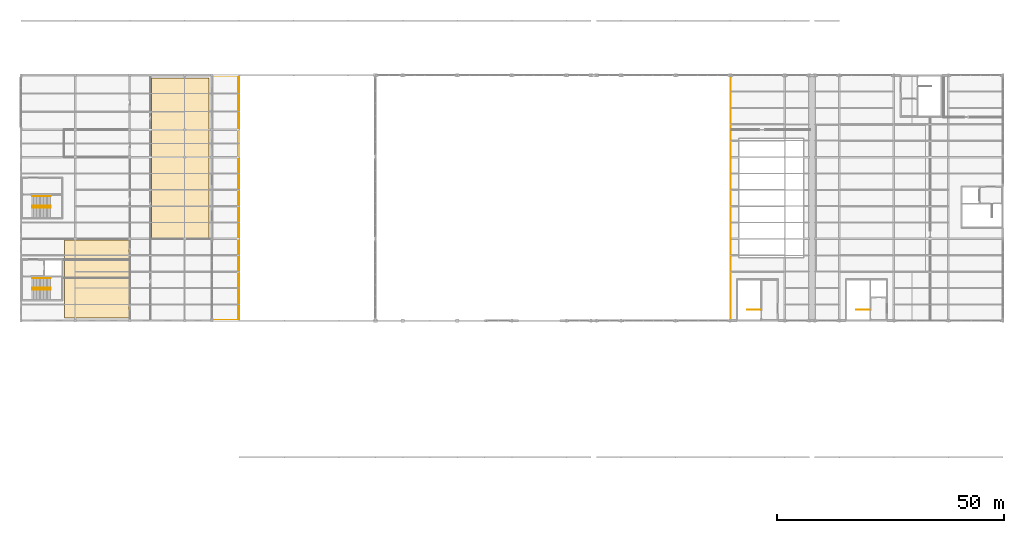
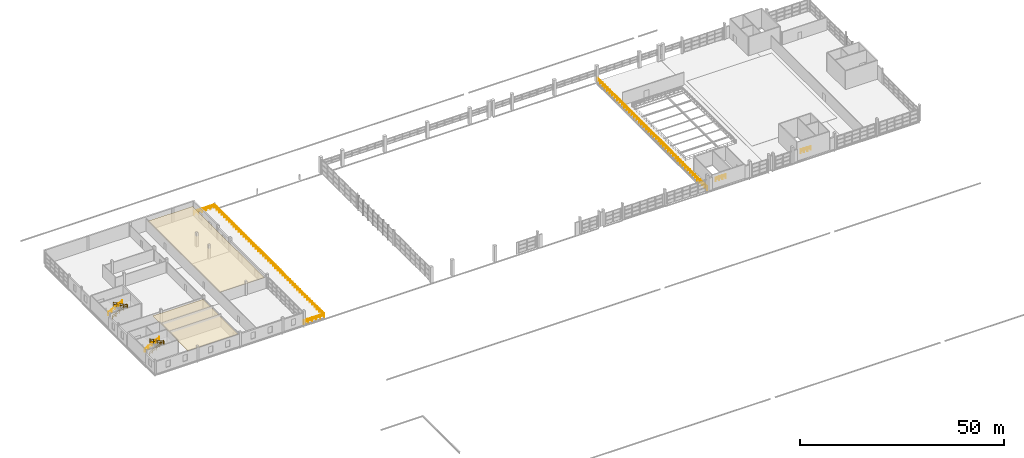
# One storey, part 85 of 86: 8 railings, 2 coverings.
"""IFC4 building model written with IfcOpenShell, lengths in metres."""

import ifcopenshell
import ifcopenshell.guid

model = None  # the IFC model being written
_history = None  # IfcOwnerHistory: only IFC2X3 demands one
_inside = {}  # id of a spatial element -> (the spatial element, [elements in it])
_under = {}  # id of a project, library or spatial element -> (it, [spatial elements below it])
_declared = {}  # id of a project -> (the project, [libraries it declares])
_typed = {}  # id of a type object -> (the type object, [elements of that type])
_made_of = {}  # id of a material, layer set ... -> (it, [elements and type objects made of it])


def new_model(schema):
    """Start an empty IFC model of exactly this schema.

    Asked for "IFC4X3", IfcOpenShell would pick the latest addendum, in which some entities
    have other attributes; the version numbers below select the first issue.
    IFC2X3 requires an IfcOwnerHistory on every rooted entity: one is made here for all.
    """
    global model, _history
    if schema == "IFC4X3":
        model = ifcopenshell.file(schema_version=(4, 3, 0, 0))
    else:
        model = ifcopenshell.file(schema=schema)
    _inside.clear()
    _under.clear()
    _declared.clear()
    _typed.clear()
    _made_of.clear()
    _history = None
    if model.schema == "IFC2X3":
        org = make("IfcOrganization", Name="unknown")
        user = make(
            "IfcPersonAndOrganization",
            ThePerson=make("IfcPerson", FamilyName="unknown"),
            TheOrganization=org,
        )
        app = make(
            "IfcApplication",
            ApplicationDeveloper=org,
            Version="unknown",
            ApplicationFullName="unknown",
            ApplicationIdentifier="unknown",
        )
        _history = make(
            "IfcOwnerHistory",
            OwningUser=user,
            OwningApplication=app,
            ChangeAction="ADDED",
            CreationDate=0,
        )
    return model


def make(cls, **values):
    """One entity of the class cls with the attributes given. An attribute that is None is left unset."""
    return model.create_entity(
        cls, **{name: value for name, value in values.items() if value is not None}
    )


def rooted(cls, **values):
    """An entity with a GlobalId (a new one), such as an element, a storey or a relation."""
    return make(cls, GlobalId=ifcopenshell.guid.new(), OwnerHistory=_history, **values)


def si_unit(unit_type, name, prefix=None):
    """IfcSIUnit, for example si_unit("LENGTHUNIT", "METRE", prefix="MILLI")."""
    return make("IfcSIUnit", UnitType=unit_type, Prefix=prefix, Name=name)


def assignment(units):
    """IfcUnitAssignment: the units of a project."""
    return None if units is None else make("IfcUnitAssignment", Units=units)


def point(xyz):
    """IfcCartesianPoint."""
    return None if xyz is None else make("IfcCartesianPoint", Coordinates=xyz)


def direction(xyz):
    """IfcDirection."""
    return None if xyz is None else make("IfcDirection", DirectionRatios=xyz)


def frame(location, z_axis=None, x_axis=None):
    """IfcAxis2Placement3D, a coordinate frame: its origin and axes. An axis left out is left unset."""
    return make(
        "IfcAxis2Placement3D",
        Location=point(location),
        Axis=direction(z_axis),
        RefDirection=direction(x_axis),
    )


def frame_2d(location, x_axis=None):
    """IfcAxis2Placement2D, a coordinate frame in the plane: its origin and x axis."""
    return make(
        "IfcAxis2Placement2D", Location=point(location), RefDirection=direction(x_axis)
    )


def origin():
    """The frame at (0, 0, 0) with its axes left unset."""
    return frame((0.0, 0.0, 0.0))


def origin_2d():
    """The frame at (0, 0) in the plane with its x axis left unset."""
    return frame_2d((0.0, 0.0))


def place(relative_to, where):
    """IfcLocalPlacement: puts the frame where relative to a parent placement (None: the world)."""
    return make(
        "IfcLocalPlacement", PlacementRelTo=relative_to, RelativePlacement=where
    )


def context(
    kind, dimensions, precision=None, world=None, true_north=None, identifier=None
):
    """IfcGeometricRepresentationContext, for example the 3D "Model" context."""
    return make(
        "IfcGeometricRepresentationContext",
        ContextIdentifier=identifier,
        ContextType=kind,
        CoordinateSpaceDimension=dimensions,
        Precision=precision,
        WorldCoordinateSystem=world,
        TrueNorth=true_north,
    )


def subcontext(parent, identifier, kind, view, scale=None):
    """IfcGeometricRepresentationSubContext, for example "Body" below "Model"."""
    return make(
        "IfcGeometricRepresentationSubContext",
        ContextIdentifier=identifier,
        ContextType=kind,
        ParentContext=parent,
        TargetScale=scale,
        TargetView=view,
    )


def project(units=None, contexts=None):
    """IfcProject with its units and contexts."""
    return rooted(
        "IfcProject",
        Name="project",
        RepresentationContexts=contexts,
        UnitsInContext=assignment(units),
    )


def spatial(cls, under=None, at=None, **own):
    """A site, building, storey or space (cls), placed at a placement, below another one or the project."""
    s = rooted(cls, ObjectPlacement=at, **own)
    if under is not None:
        _under.setdefault(under.id(), (under, []))[1].append(s)
    return s


def polyline(points):
    """IfcPolyline through the points."""
    return make("IfcPolyline", Points=[point(p) for p in points])


def profile(cls, at=None, kind="AREA", **sizes):
    """A parametric profile (cls). Its sizes go by their IFC names, for example OverallWidth=200.0."""
    return make(cls, ProfileType=kind, Position=at, **sizes)


def circle(**sizes):
    """IfcCircleProfileDef."""
    return profile("IfcCircleProfileDef", **sizes)


def outline(outer, holes=None, kind="AREA"):
    """IfcArbitraryClosedProfileDef: a profile drawn as a closed curve; with holes, ...WithVoids."""
    if holes is None:
        return make("IfcArbitraryClosedProfileDef", ProfileType=kind, OuterCurve=outer)
    return make(
        "IfcArbitraryProfileDefWithVoids",
        ProfileType=kind,
        OuterCurve=outer,
        InnerCurves=holes,
    )


def extrude(swept, where, along, depth):
    """IfcExtrudedAreaSolid: the profile swept, set in the frame where, extruded along a direction by depth."""
    return make(
        "IfcExtrudedAreaSolid",
        SweptArea=swept,
        Position=where,
        ExtrudedDirection=direction(along),
        Depth=depth,
    )


def shape(context_of_items, identifier, shape_type, items):
    """IfcShapeRepresentation: the items that make up one representation, for example the "Body"."""
    return make(
        "IfcShapeRepresentation",
        ContextOfItems=context_of_items,
        RepresentationIdentifier=identifier,
        RepresentationType=shape_type,
        Items=items,
    )


def material(Name=None, Category=None):
    """IfcMaterial."""
    return make("IfcMaterial", Name=Name, Category=Category)


def layer(
    of_material, thickness, ventilated=None, Name=None, Category=None, Priority=None
):
    """IfcMaterialLayer: one layer of a wall or slab, of a material (None: an air gap)."""
    return make(
        "IfcMaterialLayer",
        Material=of_material,
        LayerThickness=thickness,
        IsVentilated=ventilated,
        Name=Name,
        Category=Category,
        Priority=Priority,
    )


def layer_set(layers, Name=None):
    """IfcMaterialLayerSet."""
    return make("IfcMaterialLayerSet", MaterialLayers=layers, LayerSetName=Name)


def made_of(thing, what):
    """Note that an element or type object is made of a material, layer set ...; save() writes the relation."""
    if what is not None:
        _made_of.setdefault(what.id(), (what, []))[1].append(thing)
    return thing


def type_object(cls, material=None, **own):
    """A type object (cls), such as IfcWallType, which elements share."""
    return made_of(rooted(cls, **own), material)


def element(
    cls,
    number,
    at=None,
    inside=None,
    cuts=None,
    type_object=None,
    material=None,
    context=None,
    identifier="Body",
    shape_type=None,
    held_by="IfcProductDefinitionShape",
    body=None,
    shapes=None,
    **own,
):
    """One element of the class cls, such as IfcWall. Its Tag is "e" and its number.

    at: its placement. inside: the storey or other place that contains it. cuts: it is an
    opening in that element (IfcRelVoidsElement). A single representation is given by context,
    identifier, shape_type and body (its items); several are given by shapes. held_by: the class
    of the entity that holds the representations. save() writes the other relations.
    """
    e = rooted(cls, Tag="e%d" % number, ObjectPlacement=at, **own)
    if body is not None:
        shapes = [shape(context, identifier, shape_type, body)]
    if shapes is not None:
        e.Representation = make(held_by, Representations=shapes)
    if inside is not None:
        _inside.setdefault(inside.id(), (inside, []))[1].append(e)
    if cuts is not None:
        rooted(
            "IfcRelVoidsElement", RelatingBuildingElement=cuts, RelatedOpeningElement=e
        )
    if type_object is not None:
        _typed.setdefault(type_object.id(), (type_object, []))[1].append(e)
    return made_of(e, material)


def aggregate(whole, parts):
    """IfcRelAggregates: a whole, such as a stair, and the parts it consists of."""
    return rooted("IfcRelAggregates", RelatingObject=whole, RelatedObjects=parts)


def save(model, path):
    """Write the relations noted so far, then the file.

    IfcRelAggregates (storeys below a building ...), IfcRelContainedInSpatialStructure (elements
    in a storey), IfcRelDefinesByType, IfcRelAssociatesMaterial and IfcRelDeclares: one each for
    every whole, place, type object, material and project.
    """
    for whole, parts in _under.values():
        aggregate(whole, parts)
    for where, things in _inside.values():
        rooted(
            "IfcRelContainedInSpatialStructure",
            RelatedElements=things,
            RelatingStructure=where,
        )
    for kind, things in _typed.values():
        rooted("IfcRelDefinesByType", RelatedObjects=things, RelatingType=kind)
    for what, things in _made_of.values():
        rooted("IfcRelAssociatesMaterial", RelatedObjects=things, RelatingMaterial=what)
    for by, libraries in _declared.values():
        rooted("IfcRelDeclares", RelatingContext=by, RelatedDefinitions=libraries)
    model.write(path)


model = new_model("IFC4")

# Units and contexts
model_context = context("Model", 3, precision=1e-05, world=origin(), true_north=direction((0.0, 1.0)))
body_context = subcontext(model_context, "Body", "Model", "MODEL_VIEW")
ifc_project = project(units=[si_unit("LENGTHUNIT", "METRE"), si_unit("AREAUNIT", "SQUARE_METRE"), si_unit("VOLUMEUNIT", "CUBIC_METRE"), si_unit("PLANEANGLEUNIT", "RADIAN"), si_unit("MASSUNIT", "GRAM", prefix="KILO")], contexts=[model_context])

# Site, building, storey
site_placement = place(None, origin())
site = spatial("IfcSite", under=ifc_project, at=site_placement, CompositionType="ELEMENT")
building_placement = place(site_placement, origin())
building = spatial("IfcBuilding", under=site, at=building_placement, Name="Zilviju Railside Exhibition Hall", CompositionType="ELEMENT")
storey_placement = place(building_placement, frame((0.0, 0.0, 12.60009765625)))
storey = spatial("IfcBuildingStorey", under=building, at=storey_placement, Name="L04", CompositionType="ELEMENT", Elevation=12.60009765625)

# Coverings
ifc_material_1 = material(Name="Perforated gypsum and mineral-wool acoustic ceiling", Category="masonry")
ifc_layer = layer(ifc_material_1, 0.030029296875)
ifc_layer_set = layer_set([ifc_layer], Name="Perforated gypsum and mineral-wool acoustic ceiling")
covering_type = type_object("IfcCoveringType", Name="COV-CEIL-ACOUSTIC", PredefinedType="CEILING", material=ifc_layer_set)
covering_1_placement = place(storey_placement, frame((0.0, 0.0, 3.0498046875)))
element("IfcCovering", 1, at=covering_1_placement, inside=storey, type_object=covering_type, Name="Seminar Hall Acoustic Ceiling", PredefinedType="CEILING", context=body_context, shape_type="SweptSolid", body=[
    extrude(outline(polyline([(9.60009765625, 84.60009765625), (23.800048828125, 84.60009765625), (23.800048828125, 101.800048828125), (9.60009765625, 101.800048828125), (9.60009765625, 84.60009765625)])), origin(), (0.0, 0.0, 1.0), 0.030029296875),
])
covering_2_placement = place(storey_placement, frame((0.0, 0.0, 3.0498046875)))
element("IfcCovering", 2, at=covering_2_placement, inside=storey, type_object=covering_type, Name="Organisers Admin Acoustic Ceiling", PredefinedType="CEILING", context=body_context, shape_type="SweptSolid", body=[
    extrude(outline(polyline([(28.699951171875, 102.199951171875), (41.39990234375, 102.199951171875), (41.39990234375, 137.39990234375), (28.699951171875, 137.39990234375), (28.699951171875, 102.199951171875)])), origin(), (0.0, 0.0, 1.0), 0.030029296875),
])

# Railings
ifc_material_2 = material(Name="Wrought-iron Jugendstils terrace guardrail", Category="steel")
railing_type_1 = type_object("IfcRailingType", Name="RL-GUARD-1120", PredefinedType="GUARDRAIL", material=ifc_material_2)
railing_1_placement = place(storey_placement, frame((42.1201171875, 84.1201171875, 0.0)))
element("IfcRailing", 3, at=railing_1_placement, inside=storey, type_object=railing_type_1, Name="Organisers East Terrace Planted Roof Garden Perimeter Guardrail", PredefinedType="GUARDRAIL", context=body_context, shape_type="SweptSolid", body=[
    extrude(circle(Radius=0.02392578125, at=origin_2d()), frame((0.021728515625, 0.0, 1.09619140625), z_axis=(1.0, 0.0, 0.0), x_axis=(0.0, 1.0, 0.0)), (0.0, 0.0, 1.0), 5.716064453125),
    extrude(circle(Radius=0.02392578125, at=origin_2d()), frame((0.021728515625, 0.0, 0.56005859375), z_axis=(1.0, 0.0, 0.0), x_axis=(0.0, 1.0, 0.0)), (0.0, 0.0, 1.0), 5.716064453125),
    extrude(circle(Radius=0.02392578125, at=origin_2d()), frame((5.759765625, 0.021728515625, 1.09619140625), z_axis=(0.0, 1.0, 0.0), x_axis=(-1.0, 0.0, 0.0)), (0.0, 0.0, 1.0), 53.716064453125),
    extrude(circle(Radius=0.02392578125, at=origin_2d()), frame((5.759765625, 0.021728515625, 0.56005859375), z_axis=(0.0, 1.0, 0.0), x_axis=(-1.0, 0.0, 0.0)), (0.0, 0.0, 1.0), 53.716064453125),
    extrude(circle(Radius=0.02392578125, at=origin_2d()), frame((5.738037109375, 53.759765625, 1.09619140625), z_axis=(-1.0, 0.0, 0.0), x_axis=(0.0, -1.0, 0.0)), (0.0, 0.0, 1.0), 5.716064453125),
    extrude(circle(Radius=0.02392578125, at=origin_2d()), frame((5.738037109375, 53.759765625, 0.56005859375), z_axis=(-1.0, 0.0, 0.0), x_axis=(0.0, -1.0, 0.0)), (0.0, 0.0, 1.0), 5.716064453125),
    extrude(circle(Radius=0.02099609375, at=origin_2d()), origin(), (0.0, 0.0, 1.0), 1.1201171875),
    extrude(circle(Radius=0.02099609375, at=origin_2d()), frame((1.15185546875, 0.0, 0.0)), (0.0, 0.0, 1.0), 1.1201171875),
    extrude(circle(Radius=0.02099609375, at=origin_2d()), frame((2.303955078125, 0.0, 0.0)), (0.0, 0.0, 1.0), 1.1201171875),
    extrude(circle(Radius=0.02099609375, at=origin_2d()), frame((3.455810546875, 0.0, 0.0)), (0.0, 0.0, 1.0), 1.1201171875),
    extrude(circle(Radius=0.02099609375, at=origin_2d()), frame((4.60791015625, 0.0, 0.0)), (0.0, 0.0, 1.0), 1.1201171875),
    extrude(circle(Radius=0.02099609375, at=origin_2d()), frame((5.759765625, 0.0, 0.0)), (0.0, 0.0, 1.0), 1.1201171875),
    extrude(circle(Radius=0.02099609375, at=origin_2d()), frame((5.759765625, 1.194580078125, 0.0)), (0.0, 0.0, 1.0), 1.1201171875),
    extrude(circle(Radius=0.02099609375, at=origin_2d()), frame((5.759765625, 2.389404296875, 0.0)), (0.0, 0.0, 1.0), 1.1201171875),
    extrude(circle(Radius=0.02099609375, at=origin_2d()), frame((5.759765625, 3.583984375, 0.0)), (0.0, 0.0, 1.0), 1.1201171875),
    extrude(circle(Radius=0.02099609375, at=origin_2d()), frame((5.759765625, 4.778564453125, 0.0)), (0.0, 0.0, 1.0), 1.1201171875),
    extrude(circle(Radius=0.02099609375, at=origin_2d()), frame((5.759765625, 5.973388671875, 0.0)), (0.0, 0.0, 1.0), 1.1201171875),
    extrude(circle(Radius=0.02099609375, at=origin_2d()), frame((5.759765625, 7.16796875, 0.0)), (0.0, 0.0, 1.0), 1.1201171875),
    extrude(circle(Radius=0.02099609375, at=origin_2d()), frame((5.759765625, 8.362548828125, 0.0)), (0.0, 0.0, 1.0), 1.1201171875),
    extrude(circle(Radius=0.02099609375, at=origin_2d()), frame((5.759765625, 9.557373046875, 0.0)), (0.0, 0.0, 1.0), 1.1201171875),
    extrude(circle(Radius=0.02099609375, at=origin_2d()), frame((5.759765625, 10.751953125, 0.0)), (0.0, 0.0, 1.0), 1.1201171875),
    extrude(circle(Radius=0.02099609375, at=origin_2d()), frame((5.759765625, 11.946533203125, 0.0)), (0.0, 0.0, 1.0), 1.1201171875),
    extrude(circle(Radius=0.02099609375, at=origin_2d()), frame((5.759765625, 13.141357421875, 0.0)), (0.0, 0.0, 1.0), 1.1201171875),
    extrude(circle(Radius=0.02099609375, at=origin_2d()), frame((5.759765625, 14.3359375, 0.0)), (0.0, 0.0, 1.0), 1.1201171875),
    extrude(circle(Radius=0.02099609375, at=origin_2d()), frame((5.759765625, 15.530517578125, 0.0)), (0.0, 0.0, 1.0), 1.1201171875),
    extrude(circle(Radius=0.02099609375, at=origin_2d()), frame((5.759765625, 16.725341796875, 0.0)), (0.0, 0.0, 1.0), 1.1201171875),
    extrude(circle(Radius=0.02099609375, at=origin_2d()), frame((5.759765625, 17.919921875, 0.0)), (0.0, 0.0, 1.0), 1.1201171875),
    extrude(circle(Radius=0.02099609375, at=origin_2d()), frame((5.759765625, 19.114501953125, 0.0)), (0.0, 0.0, 1.0), 1.1201171875),
    extrude(circle(Radius=0.02099609375, at=origin_2d()), frame((5.759765625, 20.309326171875, 0.0)), (0.0, 0.0, 1.0), 1.1201171875),
    extrude(circle(Radius=0.02099609375, at=origin_2d()), frame((5.759765625, 21.50390625, 0.0)), (0.0, 0.0, 1.0), 1.1201171875),
    extrude(circle(Radius=0.02099609375, at=origin_2d()), frame((5.759765625, 22.698486328125, 0.0)), (0.0, 0.0, 1.0), 1.1201171875),
    extrude(circle(Radius=0.02099609375, at=origin_2d()), frame((5.759765625, 23.893310546875, 0.0)), (0.0, 0.0, 1.0), 1.1201171875),
    extrude(circle(Radius=0.02099609375, at=origin_2d()), frame((5.759765625, 25.087890625, 0.0)), (0.0, 0.0, 1.0), 1.1201171875),
    extrude(circle(Radius=0.02099609375, at=origin_2d()), frame((5.759765625, 26.282470703125, 0.0)), (0.0, 0.0, 1.0), 1.1201171875),
    extrude(circle(Radius=0.02099609375, at=origin_2d()), frame((5.759765625, 27.477294921875, 0.0)), (0.0, 0.0, 1.0), 1.1201171875),
    extrude(circle(Radius=0.02099609375, at=origin_2d()), frame((5.759765625, 28.671875, 0.0)), (0.0, 0.0, 1.0), 1.1201171875),
    extrude(circle(Radius=0.02099609375, at=origin_2d()), frame((5.759765625, 29.866455078125, 0.0)), (0.0, 0.0, 1.0), 1.1201171875),
    extrude(circle(Radius=0.02099609375, at=origin_2d()), frame((5.759765625, 31.061279296875, 0.0)), (0.0, 0.0, 1.0), 1.1201171875),
    extrude(circle(Radius=0.02099609375, at=origin_2d()), frame((5.759765625, 32.255859375, 0.0)), (0.0, 0.0, 1.0), 1.1201171875),
    extrude(circle(Radius=0.02099609375, at=origin_2d()), frame((5.759765625, 33.450439453125, 0.0)), (0.0, 0.0, 1.0), 1.1201171875),
    extrude(circle(Radius=0.02099609375, at=origin_2d()), frame((5.759765625, 34.645263671875, 0.0)), (0.0, 0.0, 1.0), 1.1201171875),
    extrude(circle(Radius=0.02099609375, at=origin_2d()), frame((5.759765625, 35.83984375, 0.0)), (0.0, 0.0, 1.0), 1.1201171875),
    extrude(circle(Radius=0.02099609375, at=origin_2d()), frame((5.759765625, 37.034423828125, 0.0)), (0.0, 0.0, 1.0), 1.1201171875),
    extrude(circle(Radius=0.02099609375, at=origin_2d()), frame((5.759765625, 38.229248046875, 0.0)), (0.0, 0.0, 1.0), 1.1201171875),
    extrude(circle(Radius=0.02099609375, at=origin_2d()), frame((5.759765625, 39.423828125, 0.0)), (0.0, 0.0, 1.0), 1.1201171875),
    extrude(circle(Radius=0.02099609375, at=origin_2d()), frame((5.759765625, 40.618408203125, 0.0)), (0.0, 0.0, 1.0), 1.1201171875),
    extrude(circle(Radius=0.02099609375, at=origin_2d()), frame((5.759765625, 41.813232421875, 0.0)), (0.0, 0.0, 1.0), 1.1201171875),
    extrude(circle(Radius=0.02099609375, at=origin_2d()), frame((5.759765625, 43.0078125, 0.0)), (0.0, 0.0, 1.0), 1.1201171875),
    extrude(circle(Radius=0.02099609375, at=origin_2d()), frame((5.759765625, 44.202392578125, 0.0)), (0.0, 0.0, 1.0), 1.1201171875),
    extrude(circle(Radius=0.02099609375, at=origin_2d()), frame((5.759765625, 45.397216796875, 0.0)), (0.0, 0.0, 1.0), 1.1201171875),
    extrude(circle(Radius=0.02099609375, at=origin_2d()), frame((5.759765625, 46.591796875, 0.0)), (0.0, 0.0, 1.0), 1.1201171875),
    extrude(circle(Radius=0.02099609375, at=origin_2d()), frame((5.759765625, 47.786376953125, 0.0)), (0.0, 0.0, 1.0), 1.1201171875),
    extrude(circle(Radius=0.02099609375, at=origin_2d()), frame((5.759765625, 48.981201171875, 0.0)), (0.0, 0.0, 1.0), 1.1201171875),
    extrude(circle(Radius=0.02099609375, at=origin_2d()), frame((5.759765625, 50.17578125, 0.0)), (0.0, 0.0, 1.0), 1.1201171875),
    extrude(circle(Radius=0.02099609375, at=origin_2d()), frame((5.759765625, 51.370361328125, 0.0)), (0.0, 0.0, 1.0), 1.1201171875),
    extrude(circle(Radius=0.02099609375, at=origin_2d()), frame((5.759765625, 52.565185546875, 0.0)), (0.0, 0.0, 1.0), 1.1201171875),
    extrude(circle(Radius=0.02099609375, at=origin_2d()), frame((5.759765625, 53.759765625, 0.0)), (0.0, 0.0, 1.0), 1.1201171875),
    extrude(circle(Radius=0.02099609375, at=origin_2d()), frame((4.60791015625, 53.759765625, 0.0)), (0.0, 0.0, 1.0), 1.1201171875),
    extrude(circle(Radius=0.02099609375, at=origin_2d()), frame((3.455810546875, 53.759765625, 0.0)), (0.0, 0.0, 1.0), 1.1201171875),
    extrude(circle(Radius=0.02099609375, at=origin_2d()), frame((2.303955078125, 53.759765625, 0.0)), (0.0, 0.0, 1.0), 1.1201171875),
    extrude(circle(Radius=0.02099609375, at=origin_2d()), frame((1.15185546875, 53.759765625, 0.0)), (0.0, 0.0, 1.0), 1.1201171875),
    extrude(circle(Radius=0.02099609375, at=origin_2d()), frame((0.0, 53.759765625, 0.0)), (0.0, 0.0, 1.0), 1.1201171875),
])
ifc_material_3 = material(Name="Brushed bronze tubular stair handrail", Category="steel")
railing_type_2 = type_object("IfcRailingType", Name="RL-HANDRAIL-920", PredefinedType="HANDRAIL", material=ifc_material_3)
for number, where, name in (
    (4, (2.5, 93.340087890625, 0.0), "Core C15 Organisers Wing South Stair Wall Handrail L04"),
    (5, (2.5, 111.360107421875, 0.0), "Core C16 Organisers Wing North Stair Wall Handrail L04"),
):
    element("IfcRailing", number, at=place(storey_placement, frame(where)), inside=storey, type_object=railing_type_2, Name=name, PredefinedType="HANDRAIL", context=body_context, shape_type="SweptSolid", body=[
        extrude(circle(Radius=0.02392578125, at=origin_2d()), frame((0.019287109375, 0.0, 0.906005859375), z_axis=(0.886834740388, 0.0, 0.462086726969), x_axis=(0.0, 1.0, 0.0)), (0.0, 0.0, 1.0), 4.500732421875),
        extrude(circle(Radius=0.02099609375, at=origin_2d()), origin(), (0.0, 0.0, 1.0), 0.919921875),
        extrude(circle(Radius=0.02099609375, at=origin_2d()), frame((1.007568359375, 0.0, 0.52490234375)), (0.0, 0.0, 1.0), 0.919921875),
        extrude(circle(Radius=0.02099609375, at=origin_2d()), frame((2.01513671875, 0.0, 1.0498046875)), (0.0, 0.0, 1.0), 0.919921875),
        extrude(circle(Radius=0.02099609375, at=origin_2d()), frame((3.0224609375, 0.0, 1.574951171875)), (0.0, 0.0, 1.0), 0.919921875),
        extrude(circle(Radius=0.02099609375, at=origin_2d()), frame((4.030029296875, 0.0, 2.099853515625)), (0.0, 0.0, 1.0), 0.919921875),
    ])
ifc_material_4 = material(Name="Wrought-iron and laminated-glass atrium guardrail", Category="glass")
railing_type_3 = type_object("IfcRailingType", Name="RL-INT-GUARD-1120", PredefinedType="GUARDRAIL", material=ifc_material_4)
for number, where, name in (
    (6, (159.800048828125, 86.419921875, 0.0), "Core C06 North Hall Court MidE Top-Landing Well Guardrail L04"),
    (7, (183.800048828125, 86.419921875, 0.0), "Core C07 North Hall Court East Top-Landing Well Guardrail L04"),
):
    element("IfcRailing", number, at=place(storey_placement, frame(where)), inside=storey, type_object=railing_type_3, Name=name, PredefinedType="GUARDRAIL", context=body_context, shape_type="SweptSolid", body=[
        extrude(circle(Radius=0.02392578125, at=origin_2d()), frame((0.021728515625, 0.0, 1.09619140625), z_axis=(1.0, 0.0, 0.0), x_axis=(0.0, 1.0, 0.0)), (0.0, 0.0, 1.0), 2.80615234375),
        extrude(circle(Radius=0.02392578125, at=origin_2d()), frame((0.021728515625, 0.0, 0.56005859375), z_axis=(1.0, 0.0, 0.0), x_axis=(0.0, 1.0, 0.0)), (0.0, 0.0, 1.0), 2.80615234375),
        extrude(circle(Radius=0.02099609375, at=origin_2d()), origin(), (0.0, 0.0, 1.0), 1.1201171875),
        extrude(circle(Radius=0.02099609375, at=origin_2d()), frame((0.949951171875, 0.0, 0.0)), (0.0, 0.0, 1.0), 1.1201171875),
        extrude(circle(Radius=0.02099609375, at=origin_2d()), frame((1.89990234375, 0.0, 0.0)), (0.0, 0.0, 1.0), 1.1201171875),
        extrude(circle(Radius=0.02099609375, at=origin_2d()), frame((2.849853515625, 0.0, 0.0)), (0.0, 0.0, 1.0), 1.1201171875),
    ])
railing_2_placement = place(storey_placement, frame((2.5, 91.25, 0.0)))
element("IfcRailing", 8, at=railing_2_placement, inside=storey, type_object=railing_type_3, Name="Core C15 Organisers Wing South Stair Well Guardrail L04", PredefinedType="GUARDRAIL", context=body_context, shape_type="SweptSolid", body=[
    extrude(circle(Radius=0.02392578125, at=origin_2d()), frame((0.019287109375, 0.0, 1.106201171875), z_axis=(0.886834740388, 0.0, 0.462086726969), x_axis=(0.0, 1.0, 0.0)), (0.0, 0.0, 1.0), 4.500732421875),
    extrude(circle(Radius=0.02392578125, at=origin_2d()), frame((0.019287109375, 0.0, 0.570068359375), z_axis=(0.886834740388, 0.0, 0.462086726969), x_axis=(0.0, 1.0, 0.0)), (0.0, 0.0, 1.0), 4.500732421875),
    extrude(circle(Radius=0.02392578125, at=origin_2d()), frame((4.030029296875, -0.021728515625, 3.19580078125), z_axis=(0.0, -1.0, 0.0), x_axis=(1.0, 0.0, 0.0)), (0.0, 0.0, 1.0), 0.356201171875),
    extrude(circle(Radius=0.02392578125, at=origin_2d()), frame((4.030029296875, -0.021728515625, 2.659912109375), z_axis=(0.0, -1.0, 0.0), x_axis=(1.0, 0.0, 0.0)), (0.0, 0.0, 1.0), 0.356201171875),
    extrude(circle(Radius=0.02392578125, at=origin_2d()), frame((4.0107421875, -0.39990234375, 3.2060546875), z_axis=(-0.88681272381, 0.0, 0.462128978628), x_axis=(0.0, -1.0, 0.0)), (0.0, 0.0, 1.0), 4.500732421875),
    extrude(circle(Radius=0.02392578125, at=origin_2d()), frame((4.0107421875, -0.39990234375, 2.669921875), z_axis=(-0.88681272381, 0.0, 0.462128978628), x_axis=(0.0, -1.0, 0.0)), (0.0, 0.0, 1.0), 4.500732421875),
    extrude(circle(Radius=0.02099609375, at=origin_2d()), origin(), (0.0, 0.0, 1.0), 1.1201171875),
    extrude(circle(Radius=0.02099609375, at=origin_2d()), frame((1.007568359375, 0.0, 0.52490234375)), (0.0, 0.0, 1.0), 1.1201171875),
    extrude(circle(Radius=0.02099609375, at=origin_2d()), frame((2.01513671875, 0.0, 1.0498046875)), (0.0, 0.0, 1.0), 1.1201171875),
    extrude(circle(Radius=0.02099609375, at=origin_2d()), frame((3.0224609375, 0.0, 1.574951171875)), (0.0, 0.0, 1.0), 1.1201171875),
    extrude(circle(Radius=0.02099609375, at=origin_2d()), frame((4.030029296875, 0.0, 2.099853515625)), (0.0, 0.0, 1.0), 1.1201171875),
    extrude(circle(Radius=0.02099609375, at=origin_2d()), frame((4.030029296875, -0.39990234375, 2.099853515625)), (0.0, 0.0, 1.0), 1.1201171875),
    extrude(circle(Radius=0.02099609375, at=origin_2d()), frame((3.0224609375, -0.39990234375, 2.625)), (0.0, 0.0, 1.0), 1.1201171875),
    extrude(circle(Radius=0.02099609375, at=origin_2d()), frame((2.01513671875, -0.39990234375, 3.14990234375)), (0.0, 0.0, 1.0), 1.1201171875),
    extrude(circle(Radius=0.02099609375, at=origin_2d()), frame((1.007568359375, -0.39990234375, 3.6748046875)), (0.0, 0.0, 1.0), 1.1201171875),
    extrude(circle(Radius=0.02099609375, at=origin_2d()), frame((0.0, -0.39990234375, 4.199951171875)), (0.0, 0.0, 1.0), 1.1201171875),
])
railing_3_placement = place(storey_placement, frame((2.5, 109.22998046875, 0.0)))
element("IfcRailing", 9, at=railing_3_placement, inside=storey, type_object=railing_type_3, Name="Core C16 Organisers Wing North Stair Well Guardrail L04", PredefinedType="GUARDRAIL", context=body_context, shape_type="SweptSolid", body=[
    extrude(circle(Radius=0.02392578125, at=origin_2d()), frame((0.019287109375, 0.0, 1.106201171875), z_axis=(0.886834740388, 0.0, 0.462086726969), x_axis=(0.0, 1.0, 0.0)), (0.0, 0.0, 1.0), 4.500732421875),
    extrude(circle(Radius=0.02392578125, at=origin_2d()), frame((0.019287109375, 0.0, 0.570068359375), z_axis=(0.886834740388, 0.0, 0.462086726969), x_axis=(0.0, 1.0, 0.0)), (0.0, 0.0, 1.0), 4.500732421875),
    extrude(circle(Radius=0.02392578125, at=origin_2d()), frame((4.030029296875, -0.021728515625, 3.19580078125), z_axis=(0.0, -1.0, 0.0), x_axis=(1.0, 0.0, 0.0)), (0.0, 0.0, 1.0), 0.316162109375),
    extrude(circle(Radius=0.02392578125, at=origin_2d()), frame((4.030029296875, -0.021728515625, 2.659912109375), z_axis=(0.0, -1.0, 0.0), x_axis=(1.0, 0.0, 0.0)), (0.0, 0.0, 1.0), 0.316162109375),
    extrude(circle(Radius=0.02392578125, at=origin_2d()), frame((4.0107421875, -0.35986328125, 3.2060546875), z_axis=(-0.88681272381, 0.0, 0.462128978628), x_axis=(0.0, -1.0, 0.0)), (0.0, 0.0, 1.0), 4.500732421875),
    extrude(circle(Radius=0.02392578125, at=origin_2d()), frame((4.0107421875, -0.35986328125, 2.669921875), z_axis=(-0.88681272381, 0.0, 0.462128978628), x_axis=(0.0, -1.0, 0.0)), (0.0, 0.0, 1.0), 4.500732421875),
    extrude(circle(Radius=0.02099609375, at=origin_2d()), origin(), (0.0, 0.0, 1.0), 1.1201171875),
    extrude(circle(Radius=0.02099609375, at=origin_2d()), frame((1.007568359375, 0.0, 0.52490234375)), (0.0, 0.0, 1.0), 1.1201171875),
    extrude(circle(Radius=0.02099609375, at=origin_2d()), frame((2.01513671875, 0.0, 1.0498046875)), (0.0, 0.0, 1.0), 1.1201171875),
    extrude(circle(Radius=0.02099609375, at=origin_2d()), frame((3.0224609375, 0.0, 1.574951171875)), (0.0, 0.0, 1.0), 1.1201171875),
    extrude(circle(Radius=0.02099609375, at=origin_2d()), frame((4.030029296875, 0.0, 2.099853515625)), (0.0, 0.0, 1.0), 1.1201171875),
    extrude(circle(Radius=0.02099609375, at=origin_2d()), frame((4.030029296875, -0.35986328125, 2.099853515625)), (0.0, 0.0, 1.0), 1.1201171875),
    extrude(circle(Radius=0.02099609375, at=origin_2d()), frame((3.0224609375, -0.35986328125, 2.625)), (0.0, 0.0, 1.0), 1.1201171875),
    extrude(circle(Radius=0.02099609375, at=origin_2d()), frame((2.01513671875, -0.35986328125, 3.14990234375)), (0.0, 0.0, 1.0), 1.1201171875),
    extrude(circle(Radius=0.02099609375, at=origin_2d()), frame((1.007568359375, -0.35986328125, 3.6748046875)), (0.0, 0.0, 1.0), 1.1201171875),
    extrude(circle(Radius=0.02099609375, at=origin_2d()), frame((0.0, -0.35986328125, 4.199951171875)), (0.0, 0.0, 1.0), 1.1201171875),
])
railing_4_placement = place(storey_placement, frame((156.1201171875, 84.199951171875, 0.0)))
element("IfcRailing", 10, at=railing_4_placement, inside=storey, type_object=railing_type_3, Name="Interior Atrium & Gallery Guardrail V2-VIP-W", PredefinedType="GUARDRAIL", context=body_context, shape_type="SweptSolid", body=[
    extrude(circle(Radius=0.02392578125, at=origin_2d()), frame((0.0, 0.021728515625, 1.09619140625), z_axis=(0.0, 1.0, 0.0), x_axis=(-1.0, 0.0, 0.0)), (0.0, 0.0, 1.0), 53.556396484375),
    extrude(circle(Radius=0.02392578125, at=origin_2d()), frame((0.0, 0.021728515625, 0.56005859375), z_axis=(0.0, 1.0, 0.0), x_axis=(-1.0, 0.0, 0.0)), (0.0, 0.0, 1.0), 53.556396484375),
    extrude(circle(Radius=0.02099609375, at=origin_2d()), origin(), (0.0, 0.0, 1.0), 1.1201171875),
    extrude(circle(Radius=0.02099609375, at=origin_2d()), frame((0.0, 1.191162109375, 0.0)), (0.0, 0.0, 1.0), 1.1201171875),
    extrude(circle(Radius=0.02099609375, at=origin_2d()), frame((0.0, 2.38232421875, 0.0)), (0.0, 0.0, 1.0), 1.1201171875),
    extrude(circle(Radius=0.02099609375, at=origin_2d()), frame((0.0, 3.5732421875, 0.0)), (0.0, 0.0, 1.0), 1.1201171875),
    extrude(circle(Radius=0.02099609375, at=origin_2d()), frame((0.0, 4.764404296875, 0.0)), (0.0, 0.0, 1.0), 1.1201171875),
    extrude(circle(Radius=0.02099609375, at=origin_2d()), frame((0.0, 5.95556640625, 0.0)), (0.0, 0.0, 1.0), 1.1201171875),
    extrude(circle(Radius=0.02099609375, at=origin_2d()), frame((0.0, 7.146728515625, 0.0)), (0.0, 0.0, 1.0), 1.1201171875),
    extrude(circle(Radius=0.02099609375, at=origin_2d()), frame((0.0, 8.337890625, 0.0)), (0.0, 0.0, 1.0), 1.1201171875),
    extrude(circle(Radius=0.02099609375, at=origin_2d()), frame((0.0, 9.52880859375, 0.0)), (0.0, 0.0, 1.0), 1.1201171875),
    extrude(circle(Radius=0.02099609375, at=origin_2d()), frame((0.0, 10.719970703125, 0.0)), (0.0, 0.0, 1.0), 1.1201171875),
    extrude(circle(Radius=0.02099609375, at=origin_2d()), frame((0.0, 11.9111328125, 0.0)), (0.0, 0.0, 1.0), 1.1201171875),
    extrude(circle(Radius=0.02099609375, at=origin_2d()), frame((0.0, 13.102294921875, 0.0)), (0.0, 0.0, 1.0), 1.1201171875),
    extrude(circle(Radius=0.02099609375, at=origin_2d()), frame((0.0, 14.29345703125, 0.0)), (0.0, 0.0, 1.0), 1.1201171875),
    extrude(circle(Radius=0.02099609375, at=origin_2d()), frame((0.0, 15.484375, 0.0)), (0.0, 0.0, 1.0), 1.1201171875),
    extrude(circle(Radius=0.02099609375, at=origin_2d()), frame((0.0, 16.675537109375, 0.0)), (0.0, 0.0, 1.0), 1.1201171875),
    extrude(circle(Radius=0.02099609375, at=origin_2d()), frame((0.0, 17.86669921875, 0.0)), (0.0, 0.0, 1.0), 1.1201171875),
    extrude(circle(Radius=0.02099609375, at=origin_2d()), frame((0.0, 19.057861328125, 0.0)), (0.0, 0.0, 1.0), 1.1201171875),
    extrude(circle(Radius=0.02099609375, at=origin_2d()), frame((0.0, 20.2490234375, 0.0)), (0.0, 0.0, 1.0), 1.1201171875),
    extrude(circle(Radius=0.02099609375, at=origin_2d()), frame((0.0, 21.43994140625, 0.0)), (0.0, 0.0, 1.0), 1.1201171875),
    extrude(circle(Radius=0.02099609375, at=origin_2d()), frame((0.0, 22.631103515625, 0.0)), (0.0, 0.0, 1.0), 1.1201171875),
    extrude(circle(Radius=0.02099609375, at=origin_2d()), frame((0.0, 23.822265625, 0.0)), (0.0, 0.0, 1.0), 1.1201171875),
    extrude(circle(Radius=0.02099609375, at=origin_2d()), frame((0.0, 25.013427734375, 0.0)), (0.0, 0.0, 1.0), 1.1201171875),
    extrude(circle(Radius=0.02099609375, at=origin_2d()), frame((0.0, 26.20458984375, 0.0)), (0.0, 0.0, 1.0), 1.1201171875),
    extrude(circle(Radius=0.02099609375, at=origin_2d()), frame((0.0, 27.3955078125, 0.0)), (0.0, 0.0, 1.0), 1.1201171875),
    extrude(circle(Radius=0.02099609375, at=origin_2d()), frame((0.0, 28.586669921875, 0.0)), (0.0, 0.0, 1.0), 1.1201171875),
    extrude(circle(Radius=0.02099609375, at=origin_2d()), frame((0.0, 29.77783203125, 0.0)), (0.0, 0.0, 1.0), 1.1201171875),
    extrude(circle(Radius=0.02099609375, at=origin_2d()), frame((0.0, 30.968994140625, 0.0)), (0.0, 0.0, 1.0), 1.1201171875),
    extrude(circle(Radius=0.02099609375, at=origin_2d()), frame((0.0, 32.16015625, 0.0)), (0.0, 0.0, 1.0), 1.1201171875),
    extrude(circle(Radius=0.02099609375, at=origin_2d()), frame((0.0, 33.35107421875, 0.0)), (0.0, 0.0, 1.0), 1.1201171875),
    extrude(circle(Radius=0.02099609375, at=origin_2d()), frame((0.0, 34.542236328125, 0.0)), (0.0, 0.0, 1.0), 1.1201171875),
    extrude(circle(Radius=0.02099609375, at=origin_2d()), frame((0.0, 35.7333984375, 0.0)), (0.0, 0.0, 1.0), 1.1201171875),
    extrude(circle(Radius=0.02099609375, at=origin_2d()), frame((0.0, 36.924560546875, 0.0)), (0.0, 0.0, 1.0), 1.1201171875),
    extrude(circle(Radius=0.02099609375, at=origin_2d()), frame((0.0, 38.11572265625, 0.0)), (0.0, 0.0, 1.0), 1.1201171875),
    extrude(circle(Radius=0.02099609375, at=origin_2d()), frame((0.0, 39.306640625, 0.0)), (0.0, 0.0, 1.0), 1.1201171875),
    extrude(circle(Radius=0.02099609375, at=origin_2d()), frame((0.0, 40.497802734375, 0.0)), (0.0, 0.0, 1.0), 1.1201171875),
    extrude(circle(Radius=0.02099609375, at=origin_2d()), frame((0.0, 41.68896484375, 0.0)), (0.0, 0.0, 1.0), 1.1201171875),
    extrude(circle(Radius=0.02099609375, at=origin_2d()), frame((0.0, 42.880126953125, 0.0)), (0.0, 0.0, 1.0), 1.1201171875),
    extrude(circle(Radius=0.02099609375, at=origin_2d()), frame((0.0, 44.0712890625, 0.0)), (0.0, 0.0, 1.0), 1.1201171875),
    extrude(circle(Radius=0.02099609375, at=origin_2d()), frame((0.0, 45.26220703125, 0.0)), (0.0, 0.0, 1.0), 1.1201171875),
    extrude(circle(Radius=0.02099609375, at=origin_2d()), frame((0.0, 46.453369140625, 0.0)), (0.0, 0.0, 1.0), 1.1201171875),
    extrude(circle(Radius=0.02099609375, at=origin_2d()), frame((0.0, 47.64453125, 0.0)), (0.0, 0.0, 1.0), 1.1201171875),
    extrude(circle(Radius=0.02099609375, at=origin_2d()), frame((0.0, 48.835693359375, 0.0)), (0.0, 0.0, 1.0), 1.1201171875),
    extrude(circle(Radius=0.02099609375, at=origin_2d()), frame((0.0, 50.02685546875, 0.0)), (0.0, 0.0, 1.0), 1.1201171875),
    extrude(circle(Radius=0.02099609375, at=origin_2d()), frame((0.0, 51.2177734375, 0.0)), (0.0, 0.0, 1.0), 1.1201171875),
    extrude(circle(Radius=0.02099609375, at=origin_2d()), frame((0.0, 52.408935546875, 0.0)), (0.0, 0.0, 1.0), 1.1201171875),
    extrude(circle(Radius=0.02099609375, at=origin_2d()), frame((0.0, 53.60009765625, 0.0)), (0.0, 0.0, 1.0), 1.1201171875),
])

save(model, "model.ifc")
